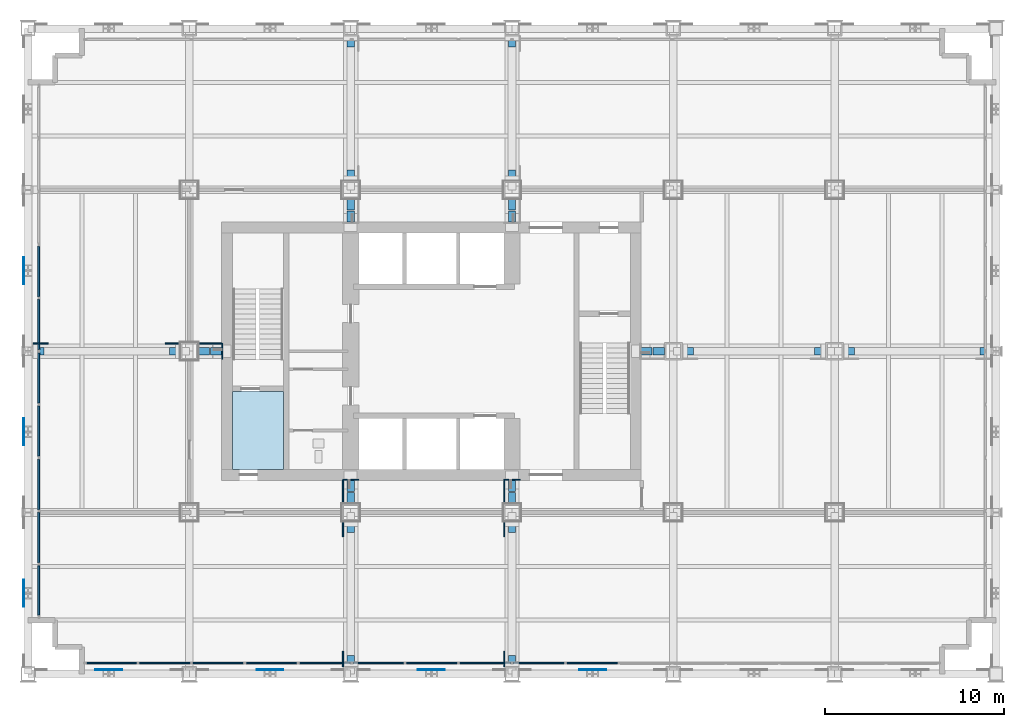
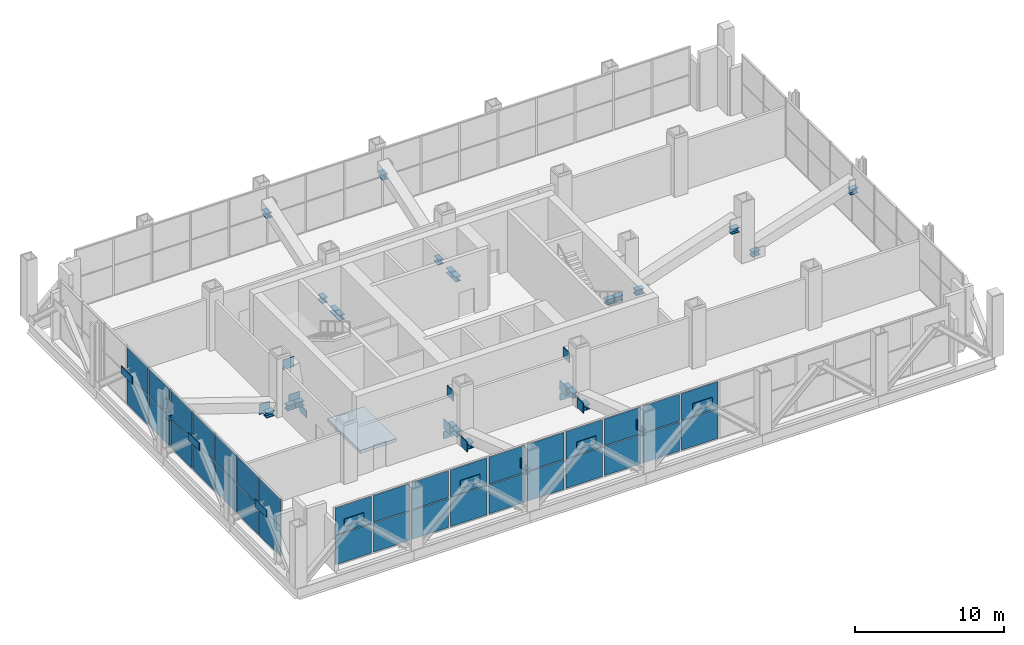
# One storey, part 10 of 19: 56 plates, 26 members, 1 slab, 2 elements without a shape of their own.
"""IFC4 building model written with IfcOpenShell, lengths in metres."""

from ifc_helpers import new_model, si_unit, direction, frame, origin, origin_2d, place, context, subcontext, project, spatial, polyline, rectangle, i_section, outline, extrude, material, layer, layer_set, material_profile, profile_set, type_object, element, aggregate, save


model = new_model("IFC4")

# Units and contexts
model_context = context("Model", 3, precision=1e-05, world=origin(), true_north=direction((0.0, 1.0)))
body_context = subcontext(model_context, "Body", "Model", "MODEL_VIEW")
ifc_project = project(units=[si_unit("LENGTHUNIT", "METRE"), si_unit("AREAUNIT", "SQUARE_METRE"), si_unit("VOLUMEUNIT", "CUBIC_METRE"), si_unit("PLANEANGLEUNIT", "RADIAN"), si_unit("MASSUNIT", "GRAM", prefix="KILO")], contexts=[model_context])

# Site, building, storey
site_placement = place(None, origin())
site = spatial("IfcSite", under=ifc_project, at=site_placement, CompositionType="ELEMENT")
building_placement = place(site_placement, origin())
building = spatial("IfcBuilding", under=site, at=building_placement, Name="Loomwork Tower", CompositionType="ELEMENT")
storey_placement = place(building_placement, frame((0.0, 0.0, 89.199951171875)))
storey = spatial("IfcBuildingStorey", under=building, at=storey_placement, Name="L23", CompositionType="ELEMENT", Elevation=89.199951171875)

# Members
ifc_material_1 = material(Name="Steel ASTM A992", Category="steel")
ifc_material_profile = material_profile(ifc_material_1, i_section(OverallWidth=0.411376953125, OverallDepth=0.434326171875, WebThickness=0.035888671875, FlangeThickness=0.057373046875, at=origin_2d()), Name="W14x311")
ifc_profile_set = profile_set([ifc_material_profile], Name="Steel ASTM A992")
member_type = type_object("IfcMemberType", Name="OUTRIGGER GUSSET CORBEL W14x311", PredefinedType="STRUT", material=ifc_profile_set)
member_1_placement = place(storey_placement, frame((0.2783203125, 18.0, 2.65283203125), z_axis=(1.0, 0.0, 0.0), x_axis=(0.0, 1.0, 0.0)))
element("IfcMember", 1, at=member_1_placement, inside=storey, type_object=member_type, Name="Outrigger upper gusset corbel F/2/0 L23", PredefinedType="STRUT", context=body_context, shape_type="SweptSolid", body=[
    extrude(i_section(OverallWidth=0.411376953125, OverallDepth=0.434326171875, WebThickness=0.035888671875, FlangeThickness=0.057373046875, at=origin_2d()), origin(), (0.0, 0.0, 1.0), 0.615966796875),
])
for number, where, z_axis, x_axis, name in (
    (2, (8.49609375, 18.0, 0.227294921875), (-1.0, 0.0, 0.0), (0.0, -1.0, 0.0), "Outrigger lower gusset corbel F/2/0 L23"),
    (3, (9.50390625, 18.0, 0.229248046875), (1.0, 0.0, 0.0), (0.0, 1.0, 0.0), "Outrigger upper gusset corbel F/3/1 L23"),
):
    element("IfcMember", number, at=place(storey_placement, frame(where, z_axis=z_axis, x_axis=x_axis)), inside=storey, type_object=member_type, Name=name, PredefinedType="STRUT", context=body_context, shape_type="SweptSolid", body=[
        extrude(i_section(OverallWidth=0.411376953125, OverallDepth=0.434326171875, WebThickness=0.035888671875, FlangeThickness=0.057373046875, at=origin_2d()), origin(), (0.0, 0.0, 1.0), 0.6162109375),
    ])
for number, where, z_axis, x_axis, name in (
    (4, (10.7958984375, 18.0, 0.227294921875), (-1.0, 0.0, 0.0), (0.0, -1.0, 0.0), "Outrigger lower gusset corbel F/3/1 L23"),
    (5, (53.7216796875, 18.0, 2.65283203125), (-1.0, 0.0, 0.0), (0.0, -1.0, 0.0), "Outrigger upper gusset corbel F/8/0 L23"),
):
    element("IfcMember", number, at=place(storey_placement, frame(where, z_axis=z_axis, x_axis=x_axis)), inside=storey, type_object=member_type, Name=name, PredefinedType="STRUT", context=body_context, shape_type="SweptSolid", body=[
        extrude(i_section(OverallWidth=0.411376953125, OverallDepth=0.434326171875, WebThickness=0.035888671875, FlangeThickness=0.057373046875, at=origin_2d()), origin(), (0.0, 0.0, 1.0), 0.615966796875),
    ])
for number, where, z_axis, x_axis, name in (
    (6, (45.50390625, 18.0, 0.227294921875), (1.0, 0.0, 0.0), (0.0, 1.0, 0.0), "Outrigger lower gusset corbel F/8/0 L23"),
    (7, (44.49609375, 18.0, 2.64892578125), (-1.0, 0.0, 0.0), (0.0, -1.0, 0.0), "Outrigger upper gusset corbel F/7/1 L23"),
    (8, (36.50390625, 18.0, 0.227294921875), (1.0, 0.0, 0.0), (0.0, 1.0, 0.0), "Outrigger lower gusset corbel F/7/1 L23"),
    (9, (35.49609375, 18.0, 0.229248046875), (-1.0, 0.0, 0.0), (0.0, -1.0, 0.0), "Outrigger upper gusset corbel F/6/2 L23"),
):
    element("IfcMember", number, at=place(storey_placement, frame(where, z_axis=z_axis, x_axis=x_axis)), inside=storey, type_object=member_type, Name=name, PredefinedType="STRUT", context=body_context, shape_type="SweptSolid", body=[
        extrude(i_section(OverallWidth=0.411376953125, OverallDepth=0.434326171875, WebThickness=0.035888671875, FlangeThickness=0.057373046875, at=origin_2d()), origin(), (0.0, 0.0, 1.0), 0.6162109375),
    ])
for number, where, z_axis, x_axis, name in (
    (10, (34.2041015625, 18.0, 0.227294921875), (1.0, 0.0, 0.0), (0.0, 1.0, 0.0), "Outrigger lower gusset corbel F/6/2 L23"),
    (11, (18.0, 0.404052734375, 2.650634765625), (0.0, 1.0, 0.0), (-1.0, 0.0, 0.0), "Outrigger upper gusset corbel D/4/0 L23"),
):
    element("IfcMember", number, at=place(storey_placement, frame(where, z_axis=z_axis, x_axis=x_axis)), inside=storey, type_object=member_type, Name=name, PredefinedType="STRUT", context=body_context, shape_type="SweptSolid", body=[
        extrude(i_section(OverallWidth=0.411376953125, OverallDepth=0.434326171875, WebThickness=0.035888671875, FlangeThickness=0.057373046875, at=origin_2d()), origin(), (0.0, 0.0, 1.0), 0.615966796875),
    ])
for number, where, z_axis, x_axis, name in (
    (12, (18.0, 8.49609375, 0.227294921875), (0.0, -1.0, 0.0), (1.0, 0.0, 0.0), "Outrigger lower gusset corbel D/4/0 L23"),
    (13, (18.0, 9.50390625, 0.229248046875), (0.0, 1.0, 0.0), (-1.0, 0.0, 0.0), "Outrigger upper gusset corbel E/4/1 L23"),
):
    element("IfcMember", number, at=place(storey_placement, frame(where, z_axis=z_axis, x_axis=x_axis)), inside=storey, type_object=member_type, Name=name, PredefinedType="STRUT", context=body_context, shape_type="SweptSolid", body=[
        extrude(i_section(OverallWidth=0.411376953125, OverallDepth=0.434326171875, WebThickness=0.035888671875, FlangeThickness=0.057373046875, at=origin_2d()), origin(), (0.0, 0.0, 1.0), 0.6162109375),
    ])
for number, where, z_axis, x_axis, name in (
    (14, (18.0, 10.7958984375, 0.227294921875), (0.0, -1.0, 0.0), (1.0, 0.0, 0.0), "Outrigger lower gusset corbel E/4/1 L23"),
    (15, (18.0, 35.595947265625, 2.650634765625), (0.0, -1.0, 0.0), (1.0, 0.0, 0.0), "Outrigger upper gusset corbel H/4/0 L23"),
):
    element("IfcMember", number, at=place(storey_placement, frame(where, z_axis=z_axis, x_axis=x_axis)), inside=storey, type_object=member_type, Name=name, PredefinedType="STRUT", context=body_context, shape_type="SweptSolid", body=[
        extrude(i_section(OverallWidth=0.411376953125, OverallDepth=0.434326171875, WebThickness=0.035888671875, FlangeThickness=0.057373046875, at=origin_2d()), origin(), (0.0, 0.0, 1.0), 0.615966796875),
    ])
for number, where, z_axis, x_axis, name in (
    (16, (18.0, 27.50390625, 0.227294921875), (0.0, 1.0, 0.0), (-1.0, 0.0, 0.0), "Outrigger lower gusset corbel H/4/0 L23"),
    (17, (18.0, 26.49609375, 0.229248046875), (0.0, -1.0, 0.0), (1.0, 0.0, 0.0), "Outrigger upper gusset corbel G/4/1 L23"),
):
    element("IfcMember", number, at=place(storey_placement, frame(where, z_axis=z_axis, x_axis=x_axis)), inside=storey, type_object=member_type, Name=name, PredefinedType="STRUT", context=body_context, shape_type="SweptSolid", body=[
        extrude(i_section(OverallWidth=0.411376953125, OverallDepth=0.434326171875, WebThickness=0.035888671875, FlangeThickness=0.057373046875, at=origin_2d()), origin(), (0.0, 0.0, 1.0), 0.6162109375),
    ])
for number, where, z_axis, x_axis, name in (
    (18, (18.0, 25.2041015625, 0.227294921875), (0.0, 1.0, 0.0), (-1.0, 0.0, 0.0), "Outrigger lower gusset corbel G/4/1 L23"),
    (19, (27.0, 0.404052734375, 2.650634765625), (0.0, 1.0, 0.0), (-1.0, 0.0, 0.0), "Outrigger upper gusset corbel D/5/0 L23"),
):
    element("IfcMember", number, at=place(storey_placement, frame(where, z_axis=z_axis, x_axis=x_axis)), inside=storey, type_object=member_type, Name=name, PredefinedType="STRUT", context=body_context, shape_type="SweptSolid", body=[
        extrude(i_section(OverallWidth=0.411376953125, OverallDepth=0.434326171875, WebThickness=0.035888671875, FlangeThickness=0.057373046875, at=origin_2d()), origin(), (0.0, 0.0, 1.0), 0.615966796875),
    ])
for number, where, z_axis, x_axis, name in (
    (20, (27.0, 8.49609375, 0.227294921875), (0.0, -1.0, 0.0), (1.0, 0.0, 0.0), "Outrigger lower gusset corbel D/5/0 L23"),
    (21, (27.0, 9.50390625, 0.229248046875), (0.0, 1.0, 0.0), (-1.0, 0.0, 0.0), "Outrigger upper gusset corbel E/5/1 L23"),
):
    element("IfcMember", number, at=place(storey_placement, frame(where, z_axis=z_axis, x_axis=x_axis)), inside=storey, type_object=member_type, Name=name, PredefinedType="STRUT", context=body_context, shape_type="SweptSolid", body=[
        extrude(i_section(OverallWidth=0.411376953125, OverallDepth=0.434326171875, WebThickness=0.035888671875, FlangeThickness=0.057373046875, at=origin_2d()), origin(), (0.0, 0.0, 1.0), 0.6162109375),
    ])
for number, where, z_axis, x_axis, name in (
    (22, (27.0, 10.7958984375, 0.227294921875), (0.0, -1.0, 0.0), (1.0, 0.0, 0.0), "Outrigger lower gusset corbel E/5/1 L23"),
    (23, (27.0, 35.595947265625, 2.650634765625), (0.0, -1.0, 0.0), (1.0, 0.0, 0.0), "Outrigger upper gusset corbel H/5/0 L23"),
):
    element("IfcMember", number, at=place(storey_placement, frame(where, z_axis=z_axis, x_axis=x_axis)), inside=storey, type_object=member_type, Name=name, PredefinedType="STRUT", context=body_context, shape_type="SweptSolid", body=[
        extrude(i_section(OverallWidth=0.411376953125, OverallDepth=0.434326171875, WebThickness=0.035888671875, FlangeThickness=0.057373046875, at=origin_2d()), origin(), (0.0, 0.0, 1.0), 0.615966796875),
    ])
for number, where, z_axis, x_axis, name in (
    (24, (27.0, 27.50390625, 0.227294921875), (0.0, 1.0, 0.0), (-1.0, 0.0, 0.0), "Outrigger lower gusset corbel H/5/0 L23"),
    (25, (27.0, 26.49609375, 0.229248046875), (0.0, -1.0, 0.0), (1.0, 0.0, 0.0), "Outrigger upper gusset corbel G/5/1 L23"),
):
    element("IfcMember", number, at=place(storey_placement, frame(where, z_axis=z_axis, x_axis=x_axis)), inside=storey, type_object=member_type, Name=name, PredefinedType="STRUT", context=body_context, shape_type="SweptSolid", body=[
        extrude(i_section(OverallWidth=0.411376953125, OverallDepth=0.434326171875, WebThickness=0.035888671875, FlangeThickness=0.057373046875, at=origin_2d()), origin(), (0.0, 0.0, 1.0), 0.6162109375),
    ])
member_2_placement = place(storey_placement, frame((27.0, 25.2041015625, 0.227294921875), z_axis=(0.0, 1.0, 0.0), x_axis=(-1.0, 0.0, 0.0)))
element("IfcMember", 26, at=member_2_placement, inside=storey, type_object=member_type, Name="Outrigger lower gusset corbel G/5/1 L23", PredefinedType="STRUT", context=body_context, shape_type="SweptSolid", body=[
    extrude(i_section(OverallWidth=0.411376953125, OverallDepth=0.434326171875, WebThickness=0.035888671875, FlangeThickness=0.057373046875, at=origin_2d()), origin(), (0.0, 0.0, 1.0), 0.615966796875),
])

# Slab
ifc_material_2 = material(Name="Concrete 5000 psi (34 MPa) on composite metal deck", Category="concrete")
ifc_layer_1 = layer(ifc_material_2, 0.25)
ifc_layer_set_1 = layer_set([ifc_layer_1], Name="Floor slab 250")
slab_type = type_object("IfcSlabType", Name="Floor slab 250", PredefinedType="FLOOR", material=ifc_layer_set_1)
slab_placement = place(storey_placement, frame((0.0, 0.0, -0.25)))
element("IfcSlab", 27, at=slab_placement, inside=storey, type_object=slab_type, Name="Floor slab L23", PredefinedType="FLOOR", context=body_context, shape_type="SweptSolid", body=[
    extrude(outline(polyline([(14.25, 15.75), (14.25, 11.39990234375), (11.39990234375, 11.39990234375), (11.39990234375, 15.75), (14.25, 15.75)])), origin(), (0.0, 0.0, 1.0), 0.25),
])

# Curtain wall, plates
ifc_material_3 = material(Name="Aluminium louvre frame", Category="aluminium")
curtain_wall_type = type_object("IfcCurtainWallType", Name="Plant floor louvre screen", PredefinedType="NOTDEFINED", material=ifc_material_3)
curtain_wall_1_placement = place(storey_placement, origin())
curtain_wall_1 = element("IfcCurtainWall", 28, at=curtain_wall_1_placement, inside=storey, type_object=curtain_wall_type, Name="Plant floor louvre screen cw/S", PredefinedType="NOTDEFINED")
ifc_material_4 = material(Name="Aluminium louvre blade panel", Category="aluminium")
ifc_layer_2 = layer(ifc_material_4, 0.10009765625)
ifc_layer_set_2 = layer_set([ifc_layer_2], Name="Plant floor louvre screen panel")
plate_type_1 = type_object("IfcPlateType", Name="Plant floor louvre screen panel", PredefinedType="CURTAIN_PANEL", material=ifc_layer_set_2)
plate_1_placement = place(storey_placement, frame((4.66064453125, 0.60009765625, 0.080078125), z_axis=(0.0, 0.0, 1.0), x_axis=(1.0, 0.0, 0.0)))
plate_1 = element("IfcPlate", 29, at=plate_1_placement, type_object=plate_type_1, Name="CW4 panel 1.1", PredefinedType="CURTAIN_PANEL", context=body_context, shape_type="SweptSolid", body=[
    extrude(rectangle(XDim=2.791259765625, YDim=0.10009765625, at=origin_2d()), origin(), (0.0, 0.0, 1.0), 2.3798828125),
])
plate_2_placement = place(storey_placement, frame((4.66064453125, 0.60009765625, 2.5400390625), z_axis=(0.0, 0.0, 1.0), x_axis=(1.0, 0.0, 0.0)))
plate_2 = element("IfcPlate", 30, at=plate_2_placement, type_object=plate_type_1, Name="CW4 panel 1.2", PredefinedType="CURTAIN_PANEL", context=body_context, shape_type="SweptSolid", body=[
    extrude(rectangle(XDim=2.791259765625, YDim=0.10009765625, at=origin_2d()), origin(), (0.0, 0.0, 1.0), 2.179931640625),
])
plate_3_placement = place(storey_placement, frame((7.621826171875, 0.60009765625, 0.080078125), z_axis=(0.0, 0.0, 1.0), x_axis=(1.0, 0.0, 0.0)))
plate_3 = element("IfcPlate", 31, at=plate_3_placement, type_object=plate_type_1, Name="CW4 panel 2.1", PredefinedType="CURTAIN_PANEL", context=body_context, shape_type="SweptSolid", body=[
    extrude(rectangle(XDim=2.831298828125, YDim=0.10009765625, at=origin_2d()), origin(), (0.0, 0.0, 1.0), 2.3798828125),
])
plate_4_placement = place(storey_placement, frame((7.621826171875, 0.60009765625, 2.5400390625), z_axis=(0.0, 0.0, 1.0), x_axis=(1.0, 0.0, 0.0)))
plate_4 = element("IfcPlate", 32, at=plate_4_placement, type_object=plate_type_1, Name="CW4 panel 2.2", PredefinedType="CURTAIN_PANEL", context=body_context, shape_type="SweptSolid", body=[
    extrude(rectangle(XDim=2.831298828125, YDim=0.10009765625, at=origin_2d()), origin(), (0.0, 0.0, 1.0), 2.179931640625),
])
plate_5_placement = place(storey_placement, frame((10.60302734375, 0.60009765625, 0.080078125), z_axis=(0.0, 0.0, 1.0), x_axis=(1.0, 0.0, 0.0)))
plate_5 = element("IfcPlate", 33, at=plate_5_placement, type_object=plate_type_1, Name="CW4 panel 3.1", PredefinedType="CURTAIN_PANEL", context=body_context, shape_type="SweptSolid", body=[
    extrude(rectangle(XDim=2.831298828125, YDim=0.10009765625, at=origin_2d()), origin(), (0.0, 0.0, 1.0), 2.3798828125),
])
plate_6_placement = place(storey_placement, frame((10.60302734375, 0.60009765625, 2.5400390625), z_axis=(0.0, 0.0, 1.0), x_axis=(1.0, 0.0, 0.0)))
plate_6 = element("IfcPlate", 34, at=plate_6_placement, type_object=plate_type_1, Name="CW4 panel 3.2", PredefinedType="CURTAIN_PANEL", context=body_context, shape_type="SweptSolid", body=[
    extrude(rectangle(XDim=2.831298828125, YDim=0.10009765625, at=origin_2d()), origin(), (0.0, 0.0, 1.0), 2.179931640625),
])
plate_7_placement = place(storey_placement, frame((13.58447265625, 0.60009765625, 0.080078125), z_axis=(0.0, 0.0, 1.0), x_axis=(1.0, 0.0, 0.0)))
plate_7 = element("IfcPlate", 35, at=plate_7_placement, type_object=plate_type_1, Name="CW4 panel 4.1", PredefinedType="CURTAIN_PANEL", context=body_context, shape_type="SweptSolid", body=[
    extrude(rectangle(XDim=2.831298828125, YDim=0.10009765625, at=origin_2d()), origin(), (0.0, 0.0, 1.0), 2.3798828125),
])
plate_8_placement = place(storey_placement, frame((13.58447265625, 0.60009765625, 2.5400390625), z_axis=(0.0, 0.0, 1.0), x_axis=(1.0, 0.0, 0.0)))
plate_8 = element("IfcPlate", 36, at=plate_8_placement, type_object=plate_type_1, Name="CW4 panel 4.2", PredefinedType="CURTAIN_PANEL", context=body_context, shape_type="SweptSolid", body=[
    extrude(rectangle(XDim=2.831298828125, YDim=0.10009765625, at=origin_2d()), origin(), (0.0, 0.0, 1.0), 2.179931640625),
])
plate_9_placement = place(storey_placement, frame((16.565673828125, 0.60009765625, 0.080078125), z_axis=(0.0, 0.0, 1.0), x_axis=(1.0, 0.0, 0.0)))
plate_9 = element("IfcPlate", 37, at=plate_9_placement, type_object=plate_type_1, Name="CW4 panel 5.1", PredefinedType="CURTAIN_PANEL", context=body_context, shape_type="SweptSolid", body=[
    extrude(rectangle(XDim=2.831298828125, YDim=0.10009765625, at=origin_2d()), origin(), (0.0, 0.0, 1.0), 2.3798828125),
])
plate_10_placement = place(storey_placement, frame((16.565673828125, 0.60009765625, 2.5400390625), z_axis=(0.0, 0.0, 1.0), x_axis=(1.0, 0.0, 0.0)))
plate_10 = element("IfcPlate", 38, at=plate_10_placement, type_object=plate_type_1, Name="CW4 panel 5.2", PredefinedType="CURTAIN_PANEL", context=body_context, shape_type="SweptSolid", body=[
    extrude(rectangle(XDim=2.831298828125, YDim=0.10009765625, at=origin_2d()), origin(), (0.0, 0.0, 1.0), 2.179931640625),
])
plate_11_placement = place(storey_placement, frame((19.546875, 0.60009765625, 0.080078125), z_axis=(0.0, 0.0, 1.0), x_axis=(1.0, 0.0, 0.0)))
plate_11 = element("IfcPlate", 39, at=plate_11_placement, type_object=plate_type_1, Name="CW4 panel 6.1", PredefinedType="CURTAIN_PANEL", context=body_context, shape_type="SweptSolid", body=[
    extrude(rectangle(XDim=2.831298828125, YDim=0.10009765625, at=origin_2d()), origin(), (0.0, 0.0, 1.0), 2.3798828125),
])
plate_12_placement = place(storey_placement, frame((19.546875, 0.60009765625, 2.5400390625), z_axis=(0.0, 0.0, 1.0), x_axis=(1.0, 0.0, 0.0)))
plate_12 = element("IfcPlate", 40, at=plate_12_placement, type_object=plate_type_1, Name="CW4 panel 6.2", PredefinedType="CURTAIN_PANEL", context=body_context, shape_type="SweptSolid", body=[
    extrude(rectangle(XDim=2.831298828125, YDim=0.10009765625, at=origin_2d()), origin(), (0.0, 0.0, 1.0), 2.179931640625),
])
plate_13_placement = place(storey_placement, frame((22.528076171875, 0.60009765625, 0.080078125), z_axis=(0.0, 0.0, 1.0), x_axis=(1.0, 0.0, 0.0)))
plate_13 = element("IfcPlate", 41, at=plate_13_placement, type_object=plate_type_1, Name="CW4 panel 7.1", PredefinedType="CURTAIN_PANEL", context=body_context, shape_type="SweptSolid", body=[
    extrude(rectangle(XDim=2.831298828125, YDim=0.10009765625, at=origin_2d()), origin(), (0.0, 0.0, 1.0), 2.3798828125),
])
plate_14_placement = place(storey_placement, frame((22.528076171875, 0.60009765625, 2.5400390625), z_axis=(0.0, 0.0, 1.0), x_axis=(1.0, 0.0, 0.0)))
plate_14 = element("IfcPlate", 42, at=plate_14_placement, type_object=plate_type_1, Name="CW4 panel 7.2", PredefinedType="CURTAIN_PANEL", context=body_context, shape_type="SweptSolid", body=[
    extrude(rectangle(XDim=2.831298828125, YDim=0.10009765625, at=origin_2d()), origin(), (0.0, 0.0, 1.0), 2.179931640625),
])
plate_15_placement = place(storey_placement, frame((25.50927734375, 0.60009765625, 0.080078125), z_axis=(0.0, 0.0, 1.0), x_axis=(1.0, 0.0, 0.0)))
plate_15 = element("IfcPlate", 43, at=plate_15_placement, type_object=plate_type_1, Name="CW4 panel 8.1", PredefinedType="CURTAIN_PANEL", context=body_context, shape_type="SweptSolid", body=[
    extrude(rectangle(XDim=2.831298828125, YDim=0.10009765625, at=origin_2d()), origin(), (0.0, 0.0, 1.0), 2.3798828125),
])
plate_16_placement = place(storey_placement, frame((25.50927734375, 0.60009765625, 2.5400390625), z_axis=(0.0, 0.0, 1.0), x_axis=(1.0, 0.0, 0.0)))
plate_16 = element("IfcPlate", 44, at=plate_16_placement, type_object=plate_type_1, Name="CW4 panel 8.2", PredefinedType="CURTAIN_PANEL", context=body_context, shape_type="SweptSolid", body=[
    extrude(rectangle(XDim=2.831298828125, YDim=0.10009765625, at=origin_2d()), origin(), (0.0, 0.0, 1.0), 2.179931640625),
])
plate_17_placement = place(storey_placement, frame((28.49072265625, 0.60009765625, 0.080078125), z_axis=(0.0, 0.0, 1.0), x_axis=(1.0, 0.0, 0.0)))
plate_17 = element("IfcPlate", 45, at=plate_17_placement, type_object=plate_type_1, Name="CW4 panel 9.1", PredefinedType="CURTAIN_PANEL", context=body_context, shape_type="SweptSolid", body=[
    extrude(rectangle(XDim=2.831298828125, YDim=0.10009765625, at=origin_2d()), origin(), (0.0, 0.0, 1.0), 2.3798828125),
])
plate_18_placement = place(storey_placement, frame((28.49072265625, 0.60009765625, 2.5400390625), z_axis=(0.0, 0.0, 1.0), x_axis=(1.0, 0.0, 0.0)))
plate_18 = element("IfcPlate", 46, at=plate_18_placement, type_object=plate_type_1, Name="CW4 panel 9.2", PredefinedType="CURTAIN_PANEL", context=body_context, shape_type="SweptSolid", body=[
    extrude(rectangle(XDim=2.831298828125, YDim=0.10009765625, at=origin_2d()), origin(), (0.0, 0.0, 1.0), 2.179931640625),
])
plate_19_placement = place(storey_placement, frame((31.471923828125, 0.60009765625, 0.080078125), z_axis=(0.0, 0.0, 1.0), x_axis=(1.0, 0.0, 0.0)))
plate_19 = element("IfcPlate", 47, at=plate_19_placement, type_object=plate_type_1, Name="CW4 panel 10.1", PredefinedType="CURTAIN_PANEL", context=body_context, shape_type="SweptSolid", body=[
    extrude(rectangle(XDim=2.831298828125, YDim=0.10009765625, at=origin_2d()), origin(), (0.0, 0.0, 1.0), 2.3798828125),
])
plate_20_placement = place(storey_placement, frame((31.471923828125, 0.60009765625, 2.5400390625), z_axis=(0.0, 0.0, 1.0), x_axis=(1.0, 0.0, 0.0)))
plate_20 = element("IfcPlate", 48, at=plate_20_placement, type_object=plate_type_1, Name="CW4 panel 10.2", PredefinedType="CURTAIN_PANEL", context=body_context, shape_type="SweptSolid", body=[
    extrude(rectangle(XDim=2.831298828125, YDim=0.10009765625, at=origin_2d()), origin(), (0.0, 0.0, 1.0), 2.179931640625),
])
aggregate(curtain_wall_1, [plate_1, plate_2, plate_3, plate_4, plate_5, plate_6, plate_7, plate_8, plate_9, plate_10, plate_11, plate_12, plate_13, plate_14, plate_15, plate_16, plate_17, plate_18, plate_19, plate_20])

curtain_wall_2_placement = place(storey_placement, origin())
curtain_wall_2 = element("IfcCurtainWall", 49, at=curtain_wall_2_placement, inside=storey, type_object=curtain_wall_type, Name="Plant floor louvre screen cw/W", PredefinedType="NOTDEFINED")
plate_21_placement = place(storey_placement, frame((0.60009765625, 22.455078125, 0.080078125), z_axis=(0.0, 0.0, 1.0), x_axis=(0.0, -1.0, 0.0)))
plate_21 = element("IfcPlate", 50, at=plate_21_placement, type_object=plate_type_1, Name="CW4 panel 4.1", PredefinedType="CURTAIN_PANEL", context=body_context, shape_type="SweptSolid", body=[
    extrude(rectangle(XDim=2.820068359375, YDim=0.10009765625, at=origin_2d()), origin(), (0.0, 0.0, 1.0), 2.3798828125),
])
plate_22_placement = place(storey_placement, frame((0.60009765625, 22.455078125, 2.5400390625), z_axis=(0.0, 0.0, 1.0), x_axis=(0.0, -1.0, 0.0)))
plate_22 = element("IfcPlate", 51, at=plate_22_placement, type_object=plate_type_1, Name="CW4 panel 4.2", PredefinedType="CURTAIN_PANEL", context=body_context, shape_type="SweptSolid", body=[
    extrude(rectangle(XDim=2.820068359375, YDim=0.10009765625, at=origin_2d()), origin(), (0.0, 0.0, 1.0), 2.179931640625),
])
plate_23_placement = place(storey_placement, frame((0.60009765625, 19.485107421875, 0.080078125), z_axis=(0.0, 0.0, 1.0), x_axis=(0.0, -1.0, 0.0)))
plate_23 = element("IfcPlate", 52, at=plate_23_placement, type_object=plate_type_1, Name="CW4 panel 5.1", PredefinedType="CURTAIN_PANEL", context=body_context, shape_type="SweptSolid", body=[
    extrude(rectangle(XDim=2.820068359375, YDim=0.10009765625, at=origin_2d()), origin(), (0.0, 0.0, 1.0), 2.3798828125),
])
plate_24_placement = place(storey_placement, frame((0.60009765625, 19.485107421875, 2.5400390625), z_axis=(0.0, 0.0, 1.0), x_axis=(0.0, -1.0, 0.0)))
plate_24 = element("IfcPlate", 53, at=plate_24_placement, type_object=plate_type_1, Name="CW4 panel 5.2", PredefinedType="CURTAIN_PANEL", context=body_context, shape_type="SweptSolid", body=[
    extrude(rectangle(XDim=2.820068359375, YDim=0.10009765625, at=origin_2d()), origin(), (0.0, 0.0, 1.0), 2.179931640625),
])
plate_25_placement = place(storey_placement, frame((0.60009765625, 16.514892578125, 0.080078125), z_axis=(0.0, 0.0, 1.0), x_axis=(0.0, -1.0, 0.0)))
plate_25 = element("IfcPlate", 54, at=plate_25_placement, type_object=plate_type_1, Name="CW4 panel 6.1", PredefinedType="CURTAIN_PANEL", context=body_context, shape_type="SweptSolid", body=[
    extrude(rectangle(XDim=2.820068359375, YDim=0.10009765625, at=origin_2d()), origin(), (0.0, 0.0, 1.0), 2.3798828125),
])
plate_26_placement = place(storey_placement, frame((0.60009765625, 16.514892578125, 2.5400390625), z_axis=(0.0, 0.0, 1.0), x_axis=(0.0, -1.0, 0.0)))
plate_26 = element("IfcPlate", 55, at=plate_26_placement, type_object=plate_type_1, Name="CW4 panel 6.2", PredefinedType="CURTAIN_PANEL", context=body_context, shape_type="SweptSolid", body=[
    extrude(rectangle(XDim=2.820068359375, YDim=0.10009765625, at=origin_2d()), origin(), (0.0, 0.0, 1.0), 2.179931640625),
])
plate_27_placement = place(storey_placement, frame((0.60009765625, 13.544921875, 0.080078125), z_axis=(0.0, 0.0, 1.0), x_axis=(0.0, -1.0, 0.0)))
plate_27 = element("IfcPlate", 56, at=plate_27_placement, type_object=plate_type_1, Name="CW4 panel 7.1", PredefinedType="CURTAIN_PANEL", context=body_context, shape_type="SweptSolid", body=[
    extrude(rectangle(XDim=2.820068359375, YDim=0.10009765625, at=origin_2d()), origin(), (0.0, 0.0, 1.0), 2.3798828125),
])
plate_28_placement = place(storey_placement, frame((0.60009765625, 13.544921875, 2.5400390625), z_axis=(0.0, 0.0, 1.0), x_axis=(0.0, -1.0, 0.0)))
plate_28 = element("IfcPlate", 57, at=plate_28_placement, type_object=plate_type_1, Name="CW4 panel 7.2", PredefinedType="CURTAIN_PANEL", context=body_context, shape_type="SweptSolid", body=[
    extrude(rectangle(XDim=2.820068359375, YDim=0.10009765625, at=origin_2d()), origin(), (0.0, 0.0, 1.0), 2.179931640625),
])
plate_29_placement = place(storey_placement, frame((0.60009765625, 10.574951171875, 0.080078125), z_axis=(0.0, 0.0, 1.0), x_axis=(0.0, -1.0, 0.0)))
plate_29 = element("IfcPlate", 58, at=plate_29_placement, type_object=plate_type_1, Name="CW4 panel 8.1", PredefinedType="CURTAIN_PANEL", context=body_context, shape_type="SweptSolid", body=[
    extrude(rectangle(XDim=2.820068359375, YDim=0.10009765625, at=origin_2d()), origin(), (0.0, 0.0, 1.0), 2.3798828125),
])
plate_30_placement = place(storey_placement, frame((0.60009765625, 10.574951171875, 2.5400390625), z_axis=(0.0, 0.0, 1.0), x_axis=(0.0, -1.0, 0.0)))
plate_30 = element("IfcPlate", 59, at=plate_30_placement, type_object=plate_type_1, Name="CW4 panel 8.2", PredefinedType="CURTAIN_PANEL", context=body_context, shape_type="SweptSolid", body=[
    extrude(rectangle(XDim=2.820068359375, YDim=0.10009765625, at=origin_2d()), origin(), (0.0, 0.0, 1.0), 2.179931640625),
])
plate_31_placement = place(storey_placement, frame((0.60009765625, 7.60498046875, 0.080078125), z_axis=(0.0, 0.0, 1.0), x_axis=(0.0, -1.0, 0.0)))
plate_31 = element("IfcPlate", 60, at=plate_31_placement, type_object=plate_type_1, Name="CW4 panel 9.1", PredefinedType="CURTAIN_PANEL", context=body_context, shape_type="SweptSolid", body=[
    extrude(rectangle(XDim=2.820068359375, YDim=0.10009765625, at=origin_2d()), origin(), (0.0, 0.0, 1.0), 2.3798828125),
])
plate_32_placement = place(storey_placement, frame((0.60009765625, 7.60498046875, 2.5400390625), z_axis=(0.0, 0.0, 1.0), x_axis=(0.0, -1.0, 0.0)))
plate_32 = element("IfcPlate", 61, at=plate_32_placement, type_object=plate_type_1, Name="CW4 panel 9.2", PredefinedType="CURTAIN_PANEL", context=body_context, shape_type="SweptSolid", body=[
    extrude(rectangle(XDim=2.820068359375, YDim=0.10009765625, at=origin_2d()), origin(), (0.0, 0.0, 1.0), 2.179931640625),
])
plate_33_placement = place(storey_placement, frame((0.60009765625, 4.655029296875, 0.080078125), z_axis=(0.0, 0.0, 1.0), x_axis=(0.0, -1.0, 0.0)))
plate_33 = element("IfcPlate", 62, at=plate_33_placement, type_object=plate_type_1, Name="CW4 panel 10.1", PredefinedType="CURTAIN_PANEL", context=body_context, shape_type="SweptSolid", body=[
    extrude(rectangle(XDim=2.780029296875, YDim=0.10009765625, at=origin_2d()), origin(), (0.0, 0.0, 1.0), 2.3798828125),
])
plate_34_placement = place(storey_placement, frame((0.60009765625, 4.655029296875, 2.5400390625), z_axis=(0.0, 0.0, 1.0), x_axis=(0.0, -1.0, 0.0)))
plate_34 = element("IfcPlate", 63, at=plate_34_placement, type_object=plate_type_1, Name="CW4 panel 10.2", PredefinedType="CURTAIN_PANEL", context=body_context, shape_type="SweptSolid", body=[
    extrude(rectangle(XDim=2.780029296875, YDim=0.10009765625, at=origin_2d()), origin(), (0.0, 0.0, 1.0), 2.179931640625),
])
aggregate(curtain_wall_2, [plate_21, plate_22, plate_23, plate_24, plate_25, plate_26, plate_27, plate_28, plate_29, plate_30, plate_31, plate_32, plate_33, plate_34])

# Plates
ifc_material_5 = material(Name="Steel ASTM A572 Grade 50 plate", Category="steel")
ifc_layer_3 = layer(ifc_material_5, 0.06005859375)
ifc_layer_set_3 = layer_set([ifc_layer_3], Name="OUTRIGGER CAST-IN CORE PLATE 60")
plate_type_2 = type_object("IfcPlateType", Name="OUTRIGGER CAST-IN CORE PLATE 60", PredefinedType="SHEET", material=ifc_layer_set_3)
for number, where, z_axis, x_axis, name in (
    (64, (27.0, 10.830078125, -0.8447265625), (0.0, 0.0, 1.0), (1.0, 0.0, 0.0), "Outrigger cast-in core plate 27,9-27,11.1 L23"),
    (65, (18.0, 10.830078125, -0.8447265625), (0.0, 0.0, 1.0), (1.0, 0.0, 0.0), "Outrigger cast-in core plate 18,9-18,11.1 L23"),
    (66, (10.830078125, 18.0, -0.8447265625), (0.0, 0.0, 1.0), (0.0, 1.0, 0.0), "Outrigger cast-in core plate 9,18-11.1,18 L23"),
):
    element("IfcPlate", number, at=place(storey_placement, frame(where, z_axis=z_axis, x_axis=x_axis)), inside=storey, type_object=plate_type_2, Name=name, PredefinedType="SHEET", context=body_context, shape_type="SweptSolid", body=[
        extrude(rectangle(XDim=0.89990234375, YDim=0.06005859375, at=origin_2d()), origin(), (0.0, 0.0, 1.0), 0.590087890625),
    ])
ifc_material_6 = material(Name="Steel ASTM A572 Grade 50 plate", Category="steel")
ifc_layer_4 = layer(ifc_material_6, 0.050048828125)
ifc_layer_set_4 = layer_set([ifc_layer_4], Name="BELT TRUSS APEX GUSSET PLATE 50")
plate_type_3 = type_object("IfcPlateType", Name="BELT TRUSS APEX GUSSET PLATE 50", PredefinedType="SHEET", material=ifc_layer_set_4)
for number, where, z_axis, x_axis, name in (
    (67, (4.5, 0.238037109375, 3.23046875), (0.0, 0.0, 1.0), (1.0, 0.0, 0.0), "Belt truss chevron apex gusset plate D/2-D/3 L23"),
    (68, (-0.238037109375, 4.5, 3.23046875), (0.0, 0.0, 1.0), (0.0, 1.0, 0.0), "Belt truss chevron apex gusset plate D/2-E/2 L23"),
    (69, (13.5, 0.238037109375, 3.23046875), (0.0, 0.0, 1.0), (1.0, 0.0, 0.0), "Belt truss chevron apex gusset plate D/3-D/4 L23"),
    (70, (22.5, 0.238037109375, 3.23046875), (0.0, 0.0, 1.0), (1.0, 0.0, 0.0), "Belt truss chevron apex gusset plate D/4-D/5 L23"),
    (71, (31.5, 0.238037109375, 3.23046875), (0.0, 0.0, 1.0), (1.0, 0.0, 0.0), "Belt truss chevron apex gusset plate D/5-D/6 L23"),
    (72, (-0.238037109375, 13.5, 3.23046875), (0.0, 0.0, 1.0), (0.0, 1.0, 0.0), "Belt truss chevron apex gusset plate E/2-F/2 L23"),
    (73, (-0.238037109375, 22.5, 3.23046875), (0.0, 0.0, 1.0), (0.0, 1.0, 0.0), "Belt truss chevron apex gusset plate F/2-G/2 L23"),
):
    element("IfcPlate", number, at=place(storey_placement, frame(where, z_axis=z_axis, x_axis=x_axis)), inside=storey, type_object=plate_type_3, Name=name, PredefinedType="SHEET", context=body_context, shape_type="SweptSolid", body=[
        extrude(rectangle(XDim=1.5, YDim=0.050048828125, at=origin_2d()), origin(), (0.0, 0.0, 1.0), 0.6201171875),
    ])
ifc_material_7 = material(Name="Steel ASTM A572 Grade 50 plate", Category="steel")
ifc_layer_5 = layer(ifc_material_7, 0.06005859375)
ifc_layer_set_5 = layer_set([ifc_layer_5], Name="OUTRIGGER GUSSET PLATE 60")
plate_type_4 = type_object("IfcPlateType", Name="OUTRIGGER GUSSET PLATE 60", PredefinedType="SHEET", material=ifc_layer_set_5)
for number, where, z_axis, x_axis, name in (
    (74, (0.703369140625, 18.430908203125, 3.0224609375), (0.0, 0.0, 1.0), (1.0, 0.0, 0.0), "Outrigger top gusset plate F/2/0 L23"),
    (75, (8.071044921875, 18.430908203125, 0.01025390625), (0.0, 0.0, 1.0), (1.0, 0.0, 0.0), "Outrigger bot gusset plate F/2/0 L23"),
    (76, (9.928955078125, 18.430908203125, 3.0224609375), (0.0, 0.0, 1.0), (1.0, 0.0, 0.0), "Outrigger top gusset plate F/3/1 L23"),
    (77, (10.37109375, 18.430908203125, 0.01025390625), (0.0, 0.0, 1.0), (1.0, 0.0, 0.0), "Outrigger bot gusset plate F/3/1 L23"),
    (78, (17.569091796875, 0.8291015625, 3.0224609375), (0.0, 0.0, 1.0), (0.0, 1.0, 0.0), "Outrigger top gusset plate D/4/0 L23"),
    (79, (17.569091796875, 8.071044921875, 0.01025390625), (0.0, 0.0, 1.0), (0.0, 1.0, 0.0), "Outrigger bot gusset plate D/4/0 L23"),
    (80, (17.569091796875, 9.928955078125, 3.0224609375), (0.0, 0.0, 1.0), (0.0, 1.0, 0.0), "Outrigger top gusset plate E/4/1 L23"),
    (81, (17.569091796875, 10.37109375, 0.01025390625), (0.0, 0.0, 1.0), (0.0, 1.0, 0.0), "Outrigger bot gusset plate E/4/1 L23"),
    (82, (26.569091796875, 0.8291015625, 3.0224609375), (0.0, 0.0, 1.0), (0.0, 1.0, 0.0), "Outrigger top gusset plate D/5/0 L23"),
    (83, (26.569091796875, 8.071044921875, 0.01025390625), (0.0, 0.0, 1.0), (0.0, 1.0, 0.0), "Outrigger bot gusset plate D/5/0 L23"),
    (84, (26.569091796875, 9.928955078125, 3.0224609375), (0.0, 0.0, 1.0), (0.0, 1.0, 0.0), "Outrigger top gusset plate E/5/1 L23"),
    (85, (26.569091796875, 10.37109375, 0.01025390625), (0.0, 0.0, 1.0), (0.0, 1.0, 0.0), "Outrigger bot gusset plate E/5/1 L23"),
):
    element("IfcPlate", number, at=place(storey_placement, frame(where, z_axis=z_axis, x_axis=x_axis)), inside=storey, type_object=plate_type_4, Name=name, PredefinedType="SHEET", context=body_context, shape_type="SweptSolid", body=[
        extrude(rectangle(XDim=0.85009765625, YDim=0.06005859375, at=origin_2d()), origin(), (0.0, 0.0, 1.0), 0.820068359375),
    ])

save(model, "model.ifc")
